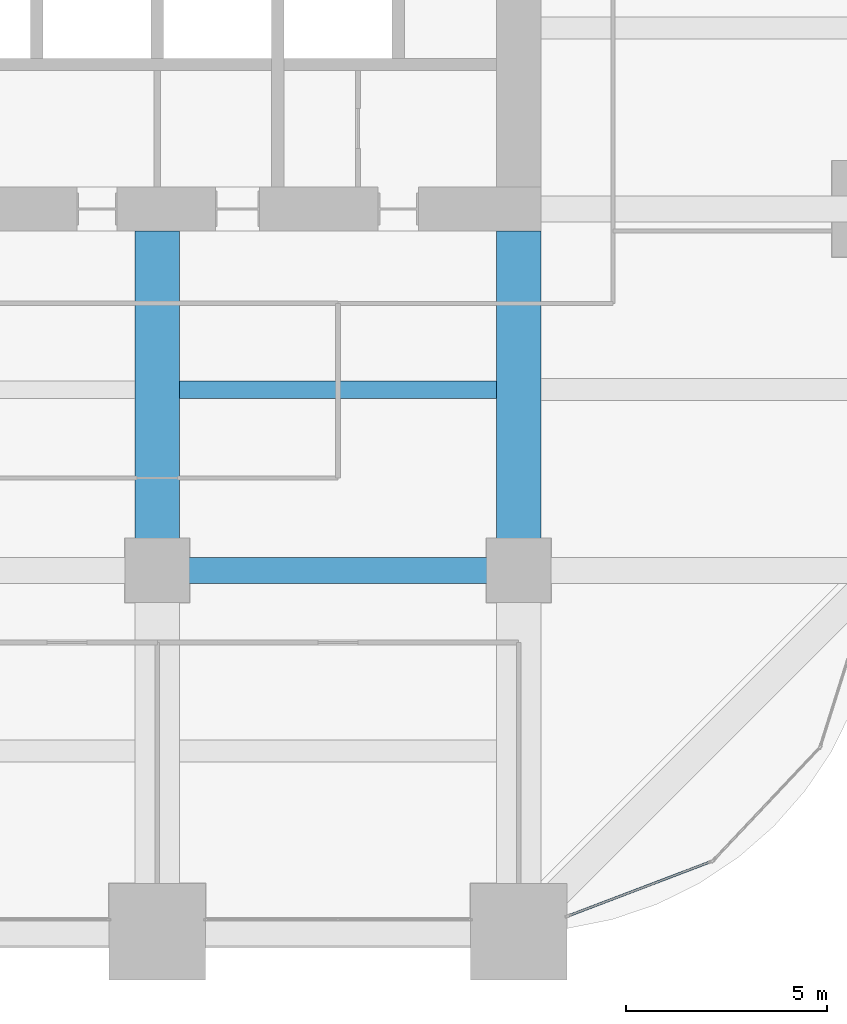
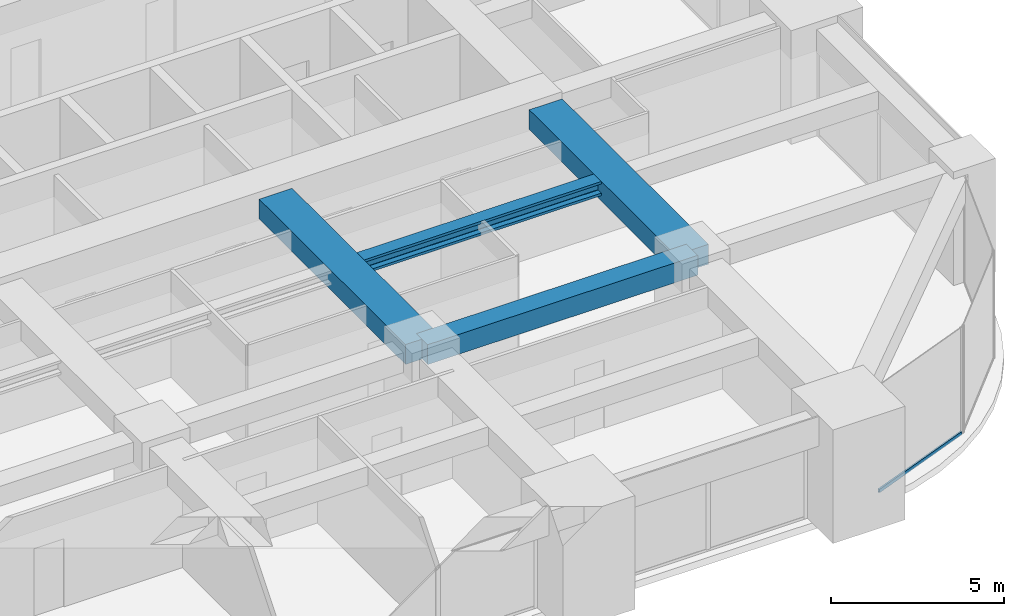
# One storey, part 15 of 34: 4 beams, 1 member, 1 element without a shape of its own.
"""IFC4 building model written with IfcOpenShell, lengths in metres."""

from ifc_helpers import new_model, si_unit, direction, frame, origin, origin_2d, place, context, subcontext, project, spatial, rectangle, hollow_rectangle, i_section, extrude, material, material_profile, profile_set, type_object, element, aggregate, save


model = new_model("IFC4")

# Units and contexts
model_context = context("Model", 3, precision=1e-05, world=origin(), true_north=direction((0.0, 1.0)))
body_context = subcontext(model_context, "Body", "Model", "MODEL_VIEW")
ifc_project = project(units=[si_unit("LENGTHUNIT", "METRE"), si_unit("AREAUNIT", "SQUARE_METRE"), si_unit("VOLUMEUNIT", "CUBIC_METRE"), si_unit("PLANEANGLEUNIT", "RADIAN"), si_unit("MASSUNIT", "GRAM", prefix="KILO")], contexts=[model_context])

# Site, building, storey
site_placement = place(None, origin())
site = spatial("IfcSite", under=ifc_project, at=site_placement, CompositionType="ELEMENT")
building_placement = place(site_placement, origin())
building = spatial("IfcBuilding", under=site, at=building_placement, Name="Zorevar Civic Tower", CompositionType="ELEMENT")
storey_placement = place(building_placement, frame((0.0, 0.0, 170.199951171875)))
storey = spatial("IfcBuildingStorey", under=building, at=storey_placement, Name="L41", CompositionType="ELEMENT", Elevation=170.199951171875)

# Beams
ifc_material_1 = material(Name="Concrete C50/60", Category="concrete")
ifc_material_profile_1 = material_profile(ifc_material_1, rectangle(XDim=1.10009765625, YDim=0.699951171875, at=origin_2d()), Name="RC 1100x700")
ifc_profile_set_1 = profile_set([ifc_material_profile_1], Name="Concrete C50/60")
beam_type_1 = type_object("IfcBeamType", Name="Beam RC 1100x700", PredefinedType="BEAM", material=ifc_profile_set_1)
for number, where, z_axis, x_axis, name in (
    (1, (36.0, 9.0, 3.400146484375), (0.0, 1.0, 0.0), (-1.0, 0.0, 0.0), "Girder L42"),
    (2, (45.0, 9.0, 3.400146484375), (0.0, 1.0, 0.0), (-1.0, 0.0, 0.0), "Girder L42"),
):
    element("IfcBeam", number, at=place(storey_placement, frame(where, z_axis=z_axis, x_axis=x_axis)), inside=storey, type_object=beam_type_1, Name=name, PredefinedType="BEAM", context=body_context, shape_type="SweptSolid", body=[
        extrude(rectangle(XDim=1.10009765625, YDim=0.699951171875, at=origin_2d()), origin(), (0.0, 0.0, 1.0), 8.449951171875),
    ])
ifc_material_2 = material(Name="Concrete C50/60", Category="concrete")
ifc_material_profile_2 = material_profile(ifc_material_2, rectangle(XDim=0.64990234375, YDim=0.699951171875, at=origin_2d()), Name="RC 650x700")
ifc_profile_set_2 = profile_set([ifc_material_profile_2], Name="Concrete C50/60")
beam_type_2 = type_object("IfcBeamType", Name="Beam RC 650x700", PredefinedType="BEAM", material=ifc_profile_set_2)
beam_1_placement = place(storey_placement, frame((36.0, 9.0, 3.400146484375), z_axis=(1.0, 0.0, 0.0), x_axis=(0.0, 1.0, 0.0)))
element("IfcBeam", 3, at=beam_1_placement, inside=storey, type_object=beam_type_2, Name="Girder L42", PredefinedType="BEAM", context=body_context, shape_type="SweptSolid", body=[
    extrude(rectangle(XDim=0.64990234375, YDim=0.699951171875, at=origin_2d()), origin(), (0.0, 0.0, 1.0), 9.0),
])

# Curtain wall, member
ifc_material_3 = material(Name="Dark grey solar-control glass in black aluminium frame", Category="aluminium")
curtain_wall_type = type_object("IfcCurtainWallType", Name="Curtain wall CW4 high zone", PredefinedType="NOTDEFINED", material=ifc_material_3)
curtain_wall_placement = place(storey_placement, origin())
curtain_wall = element("IfcCurtainWall", 4, at=curtain_wall_placement, inside=storey, type_object=curtain_wall_type, Name="CW4 L41", PredefinedType="NOTDEFINED")
ifc_material_4 = material(Name="Aluminium, black anodised", Category="aluminium")
ifc_material_profile_3 = material_profile(ifc_material_4, hollow_rectangle(XDim=0.06005859375, YDim=0.1201171875, WallThickness=0.0029296875, at=origin_2d()), Name="AL 120x60x3")
ifc_profile_set_3 = profile_set([ifc_material_profile_3], Name="Aluminium, black anodised")
member_type = type_object("IfcMemberType", Name="CW4 transom AL 120x60x3", PredefinedType="USERDEFINED", material=ifc_profile_set_3)
member_placement = place(storey_placement, frame((46.256103515625, 0.404541015625, 0.030029296875), z_axis=(0.934589335576, 0.355728511406, 0.0), x_axis=(-0.355728511406, 0.934589335576, 0.0)))
member = element("IfcMember", 5, at=member_placement, type_object=member_type, Name="CW4 sill transom", ObjectType="TRANSOM", PredefinedType="USERDEFINED", context=body_context, shape_type="SweptSolid", body=[
    extrude(hollow_rectangle(XDim=0.06005859375, YDim=0.1201171875, WallThickness=0.0029296875, at=origin_2d()), origin(), (0.0, 0.0, 1.0), 3.76708984375),
])
aggregate(curtain_wall, [member])

# Beam
ifc_material_5 = material(Name="Steel S460M (HISTAR 460)", Category="steel")
ifc_material_profile_4 = material_profile(ifc_material_5, i_section(OverallWidth=0.431884765625, OverallDepth=0.498046875, WebThickness=0.0556640625, FlangeThickness=0.0888671875, FilletRadius=0.014892578125, at=origin_2d()), Name="HD 400x744")
ifc_profile_set_4 = profile_set([ifc_material_profile_4], Name="Steel S460M (HISTAR 460)")
beam_type_3 = type_object("IfcBeamType", Name="Core bay beam HD 400x744", PredefinedType="BEAM", material=ifc_profile_set_4)
beam_2_placement = place(storey_placement, frame((36.550048828125, 13.5, 3.5009765625), z_axis=(1.0, 0.0, 0.0), x_axis=(0.0, 1.0, 0.0)))
element("IfcBeam", 6, at=beam_2_placement, inside=storey, type_object=beam_type_3, Name="Secondary beam L42", PredefinedType="BEAM", context=body_context, shape_type="SweptSolid", body=[
    extrude(i_section(OverallWidth=0.431884765625, OverallDepth=0.498046875, WebThickness=0.0556640625, FlangeThickness=0.0888671875, FilletRadius=0.014892578125, at=origin_2d()), origin(), (0.0, 0.0, 1.0), 7.89990234375),
])

save(model, "model.ifc")
